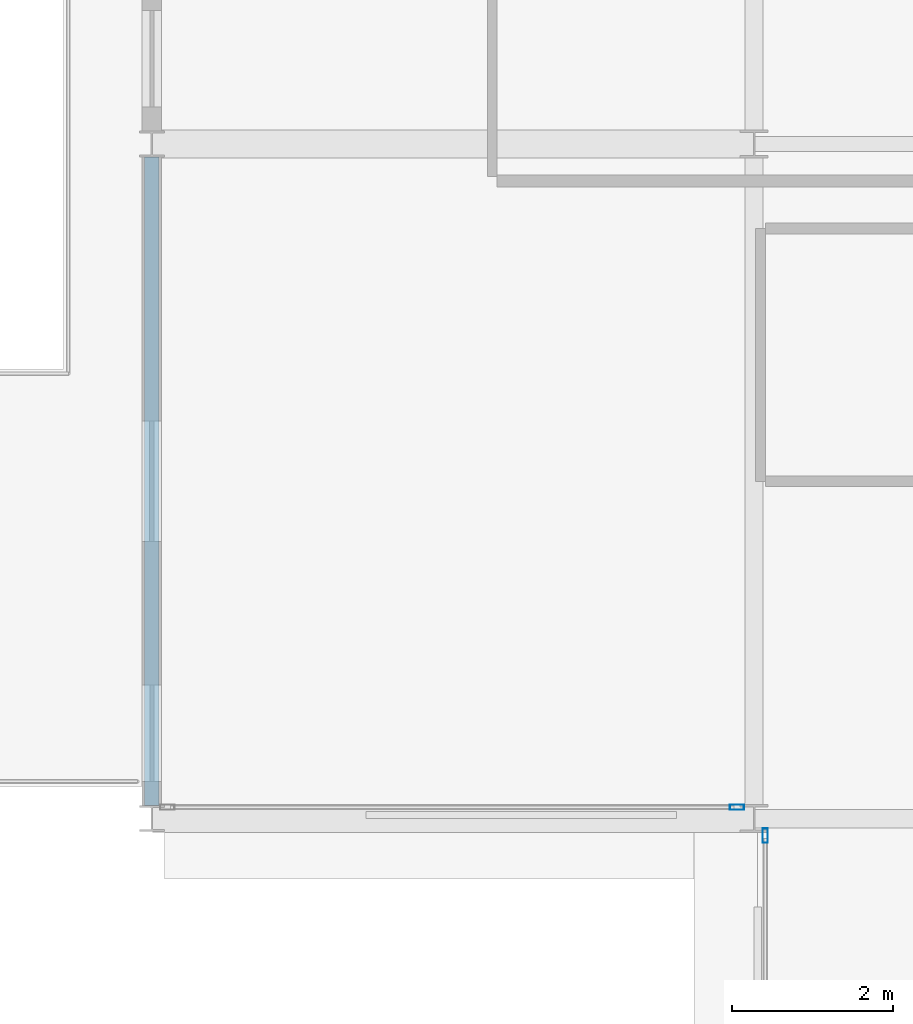
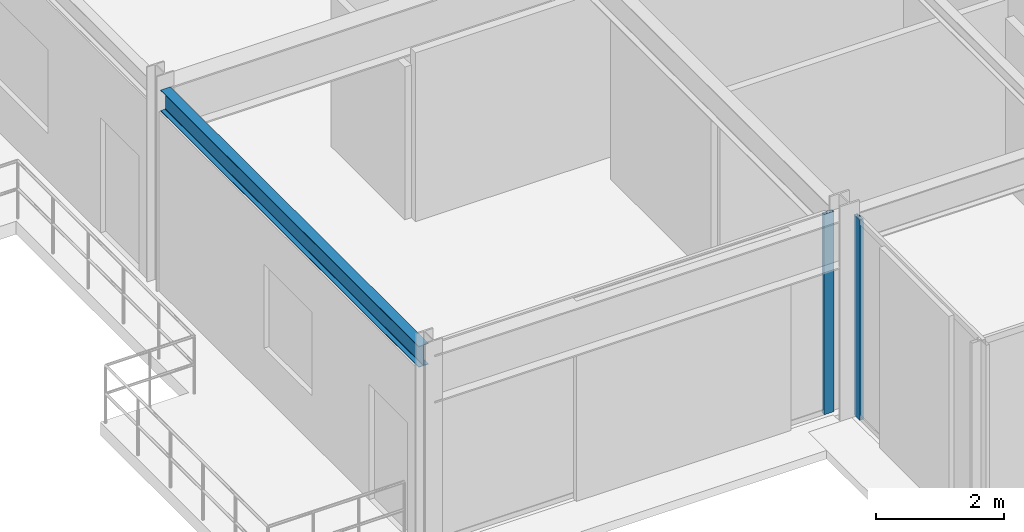
# One storey, part 4 of 29: 2 members, 1 beam, 2 elements without a shape of their own.
"""IFC4 building model written with IfcOpenShell, lengths in metres."""

from ifc_helpers import new_model, si_unit, direction, frame, origin, origin_2d, place, context, subcontext, project, spatial, hollow_rectangle, i_section, extrude, material, layer, layer_set, material_profile, profile_set, type_object, element, aggregate, save


model = new_model("IFC4")

# Units and contexts
model_context = context("Model", 3, precision=1e-05, world=origin(), true_north=direction((0.0, 1.0)))
body_context = subcontext(model_context, "Body", "Model", "MODEL_VIEW")
ifc_project = project(units=[si_unit("LENGTHUNIT", "METRE"), si_unit("AREAUNIT", "SQUARE_METRE"), si_unit("VOLUMEUNIT", "CUBIC_METRE"), si_unit("PLANEANGLEUNIT", "RADIAN"), si_unit("MASSUNIT", "GRAM", prefix="KILO")], contexts=[model_context])

# Site, building, storey
site_placement = place(None, origin())
site = spatial("IfcSite", under=ifc_project, at=site_placement, CompositionType="ELEMENT")
building_placement = place(site_placement, origin())
building = spatial("IfcBuilding", under=site, at=building_placement, Name="Nerrivon Quay Data Exchange", CompositionType="ELEMENT")
storey_placement = place(building_placement, frame((0.0, 0.0, 179.60009765625)))
storey = spatial("IfcBuildingStorey", under=building, at=storey_placement, Name="L42", CompositionType="ELEMENT", Elevation=179.60009765625)

# Beam
ifc_material_1 = material(Name="Steel Grade 350", Category="steel")
ifc_material_profile_1 = material_profile(ifc_material_1, i_section(OverallWidth=0.177978515625, OverallDepth=0.403076171875, WebThickness=0.007568359375, FlangeThickness=0.010986328125, FilletRadius=0.011474609375, at=origin_2d()), Name="410UB53.7")
ifc_profile_set_1 = profile_set([ifc_material_profile_1], Name="Steel Grade 350")
beam_type = type_object("IfcBeamType", Name="BM-SP2-410UB54", PredefinedType="SPANDREL", material=ifc_profile_set_1)
beam_placement = place(storey_placement, frame((-7.5, 8.5634765625, 3.623291015625), z_axis=(0.0, 1.0, 0.0), x_axis=(-1.0, 0.0, 0.0)))
element("IfcBeam", 1, at=beam_placement, inside=storey, type_object=beam_type, Name="L42 West Hooked Edge Spandrel", PredefinedType="SPANDREL", context=body_context, shape_type="SweptSolid", body=[
    extrude(i_section(OverallWidth=0.177978515625, OverallDepth=0.403076171875, WebThickness=0.007568359375, FlangeThickness=0.010986328125, FilletRadius=0.011474609375, at=origin_2d()), origin(), (0.0, 0.0, 1.0), 8.072998046875),
])

# Curtain wall, member
ifc_material_2 = material(Name="Anodised aluminium 6063-T6", Category="aluminium")
ifc_layer_1 = layer(ifc_material_2, 0.195068359375)
ifc_layer_set_1 = layer_set([ifc_layer_1], Name="Anodised aluminium 6063-T6")
curtain_wall_type_1 = type_object("IfcCurtainWallType", Name="CW-SYS-06", PredefinedType="NOTDEFINED", material=ifc_layer_set_1)
curtain_wall_1_placement = place(storey_placement, origin())
curtain_wall_1 = element("IfcCurtainWall", 2, at=curtain_wall_1_placement, inside=storey, type_object=curtain_wall_type_1, Name="L42 Unitised Curtain Wall 31", PredefinedType="NOTDEFINED")
ifc_material_profile_2 = material_profile(ifc_material_2, hollow_rectangle(XDim=0.06494140625, YDim=0.179931640625, WallThickness=0.00341796875, at=origin_2d()), Name="ALU-MULL-180x65")
ifc_profile_set_2 = profile_set([ifc_material_profile_2], Name="Anodised aluminium 6063-T6")
member_type = type_object("IfcMemberType", Name="CWM-180x65", PredefinedType="MULLION", material=ifc_profile_set_2)
member_1_placement = place(storey_placement, frame((0.139892578125, 8.1875, 0.0), z_axis=(0.0, 0.0, 1.0), x_axis=(-1.0, 0.0, 0.0)))
member_1 = element("IfcMember", 3, at=member_1_placement, type_object=member_type, Name="CW06 mullion 2", PredefinedType="MULLION", context=body_context, shape_type="SweptSolid", body=[
    extrude(hollow_rectangle(XDim=0.06494140625, YDim=0.179931640625, WallThickness=0.00341796875, at=origin_2d()), origin(), (0.0, 0.0, 1.0), 3.824951171875),
])
aggregate(curtain_wall_1, [member_1])

ifc_layer_2 = layer(ifc_material_2, 0.199951171875)
ifc_layer_set_2 = layer_set([ifc_layer_2], Name="Anodised aluminium 6063-T6")
curtain_wall_type_2 = type_object("IfcCurtainWallType", Name="CW-SYS-04", PredefinedType="NOTDEFINED", material=ifc_layer_set_2)
curtain_wall_2_placement = place(storey_placement, origin())
curtain_wall_2 = element("IfcCurtainWall", 4, at=curtain_wall_2_placement, inside=storey, type_object=curtain_wall_type_2, Name="L42 Unitised Curtain Wall 32", PredefinedType="NOTDEFINED")
member_2_placement = place(storey_placement, frame((-0.21240234375, 8.5400390625, 0.0), z_axis=(0.0, 0.0, 1.0), x_axis=(0.0, -1.0, 0.0)))
member_2 = element("IfcMember", 5, at=member_2_placement, type_object=member_type, Name="CW04 mullion 1", PredefinedType="MULLION", context=body_context, shape_type="SweptSolid", body=[
    extrude(hollow_rectangle(XDim=0.06494140625, YDim=0.179931640625, WallThickness=0.00341796875, at=origin_2d()), origin(), (0.0, 0.0, 1.0), 3.824951171875),
])
aggregate(curtain_wall_2, [member_2])

save(model, "model.ifc")
